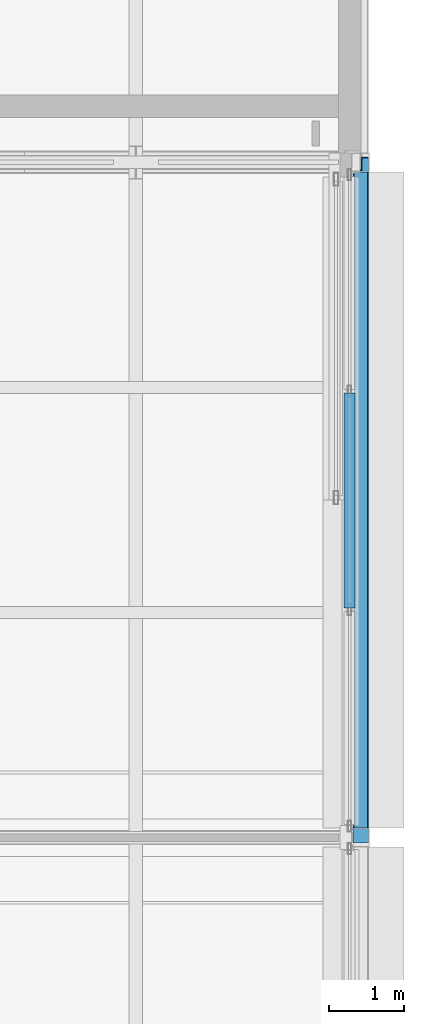
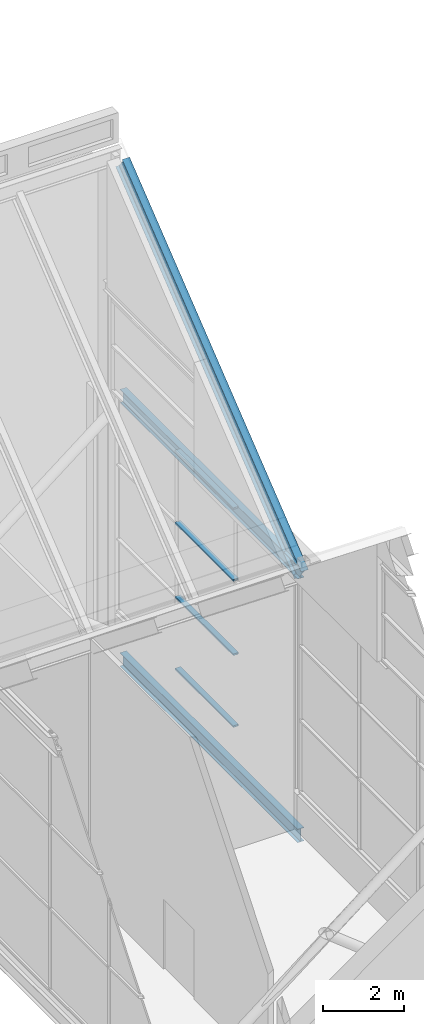
# One storey, part 87 of 144: 5 members, 2 beams, 1 element without a shape of its own.
"""IFC4 building model written with IfcOpenShell, lengths in metres."""

from ifc_helpers import new_model, si_unit, direction, frame, origin, origin_2d, place, context, subcontext, project, spatial, hollow_rectangle, i_section, extrude, material, layer, layer_set, material_profile, profile_set, type_object, element, aggregate, save


model = new_model("IFC4")

# Units and contexts
model_context = context("Model", 3, precision=1e-05, world=origin(), true_north=direction((0.0, 1.0)))
body_context = subcontext(model_context, "Body", "Model", "MODEL_VIEW")
ifc_project = project(units=[si_unit("LENGTHUNIT", "METRE"), si_unit("AREAUNIT", "SQUARE_METRE"), si_unit("VOLUMEUNIT", "CUBIC_METRE"), si_unit("PLANEANGLEUNIT", "RADIAN"), si_unit("MASSUNIT", "GRAM", prefix="KILO")], contexts=[model_context])

# Site, building, storey
site_placement = place(None, origin())
site = spatial("IfcSite", under=ifc_project, at=site_placement, CompositionType="ELEMENT")
building_placement = place(site_placement, origin())
building = spatial("IfcBuilding", under=site, at=building_placement, Name="Shorebreak Coast Museum", CompositionType="ELEMENT")
storey_placement = place(building_placement, frame((0.0, 0.0, 36.0)))
storey = spatial("IfcBuildingStorey", under=building, at=storey_placement, Name="L06", CompositionType="ELEMENT", Elevation=36.0)

# Beam
ifc_material_1 = material(Name="Steel Grade 300", Category="steel")
ifc_material_profile_1 = material_profile(ifc_material_1, i_section(OverallWidth=0.177978515625, OverallDepth=0.406494140625, WebThickness=0.0078125, FlangeThickness=0.0126953125, FilletRadius=0.011474609375, at=origin_2d()), Name="410UB59.7")
ifc_profile_set_1 = profile_set([ifc_material_profile_1], Name="Steel Grade 300")
beam_type_1 = type_object("IfcBeamType", Name="Floor girder north-south 410UB59.7", PredefinedType="BEAM", material=ifc_profile_set_1)
beam_1_placement = place(storey_placement, frame((117.0, 72.125, -0.378173828125), z_axis=(0.0, 1.0, 0.0), x_axis=(-1.0, 0.0, 0.0)))
element("IfcBeam", 1, at=beam_1_placement, inside=storey, type_object=beam_type_1, Name="Floor girder north-south L06 14J", PredefinedType="BEAM", context=body_context, shape_type="SweptSolid", body=[
    extrude(i_section(OverallWidth=0.177978515625, OverallDepth=0.406494140625, WebThickness=0.0078125, FlangeThickness=0.0126953125, FilletRadius=0.011474609375, at=origin_2d()), origin(), (0.0, 0.0, 1.0), 8.75),
])

# Member
ifc_material_2 = material(Name="Steel Grade 300", Category="steel")
ifc_material_profile_2 = material_profile(ifc_material_2, i_section(OverallWidth=0.208984375, OverallDepth=0.5283203125, WebThickness=0.009521484375, FlangeThickness=0.01318359375, FilletRadius=0.013916015625, at=origin_2d()), Name="530UB82.0")
ifc_profile_set_2 = profile_set([ifc_material_profile_2], Name="Steel Grade 300")
member_type_1 = type_object("IfcMemberType", Name="Fold rib rafter 530UB82.0", PredefinedType="RAFTER", material=ifc_profile_set_2)
member_1_placement = place(storey_placement, frame((117.0, 80.905029296875, 14.52978515625), z_axis=(0.0, -0.780866698312, -0.624697686459), x_axis=(1.0, 0.0, 0.0)))
element("IfcMember", 2, at=member_1_placement, inside=storey, type_object=member_type_1, Name="Fold rib rafter FOLD-X line 3 22", PredefinedType="RAFTER", context=body_context, shape_type="SweptSolid", body=[
    extrude(i_section(OverallWidth=0.208984375, OverallDepth=0.5283203125, WebThickness=0.009521484375, FlangeThickness=0.01318359375, FilletRadius=0.013916015625, at=origin_2d()), origin(), (0.0, 0.0, 1.0), 11.282470703125),
])

# Beam
ifc_material_3 = material(Name="Steel Grade 300", Category="steel")
ifc_material_profile_3 = material_profile(ifc_material_3, i_section(OverallWidth=0.177978515625, OverallDepth=0.402587890625, WebThickness=0.007568359375, FlangeThickness=0.010986328125, FilletRadius=0.011474609375, at=origin_2d()), Name="410UB53.7")
ifc_profile_set_3 = profile_set([ifc_material_profile_3], Name="Steel Grade 300")
beam_type_2 = type_object("IfcBeamType", Name="Fold rib tie 410UB53.7", PredefinedType="BEAM", material=ifc_profile_set_3)
beam_2_placement = place(storey_placement, frame((117.0, 72.125, 7.54248046875), z_axis=(0.0, 1.0, 0.0), x_axis=(-1.0, 0.0, 0.0)))
element("IfcBeam", 3, at=beam_2_placement, inside=storey, type_object=beam_type_2, Name="Fold rib tie FOLD-X rib 14 J-K", PredefinedType="BEAM", context=body_context, shape_type="SweptSolid", body=[
    extrude(i_section(OverallWidth=0.177978515625, OverallDepth=0.402587890625, WebThickness=0.007568359375, FlangeThickness=0.010986328125, FilletRadius=0.011474609375, at=origin_2d()), origin(), (0.0, 0.0, 1.0), 8.75),
])

# Curtain wall, members
ifc_material_4 = material(Name="Aluminium", Category="aluminium")
ifc_layer = layer(ifc_material_4, 0.14990234375)
ifc_layer_set = layer_set([ifc_layer], Name="Aluminium")
curtain_wall_type = type_object("IfcCurtainWallType", Name="Storefront curtain wall", PredefinedType="NOTDEFINED", material=ifc_layer_set)
curtain_wall_placement = place(storey_placement, origin())
curtain_wall = element("IfcCurtainWall", 4, at=curtain_wall_placement, inside=storey, type_object=curtain_wall_type, Name="Atrium Hall glazing L06 E 21", PredefinedType="NOTDEFINED")
ifc_material_5 = material(Name="Aluminium", Category="aluminium")
ifc_material_profile_4 = material_profile(ifc_material_5, hollow_rectangle(XDim=0.14990234375, YDim=0.050048828125, WallThickness=0.00390625, at=origin_2d()), Name="AL 50x150 RHS")
ifc_profile_set_4 = profile_set([ifc_material_profile_4], Name="Aluminium")
member_type_2 = type_object("IfcMemberType", Name="Storefront transom 150 x 50", PredefinedType="USERDEFINED", material=ifc_profile_set_4)
member_2_placement = place(storey_placement, frame((116.85009765625, 75.06201171875, 1.175048828125), z_axis=(0.0, 1.0, 0.0), x_axis=(-1.0, 0.0, 0.0)))
member_2 = element("IfcMember", 5, at=member_2_placement, type_object=member_type_2, Name="CW5 transom 2.1", ObjectType="TRANSOM", PredefinedType="USERDEFINED", context=body_context, shape_type="SweptSolid", body=[
    extrude(hollow_rectangle(XDim=0.14990234375, YDim=0.050048828125, WallThickness=0.00390625, at=origin_2d()), origin(), (0.0, 0.0, 1.0), 2.862060546875),
])
member_3_placement = place(storey_placement, frame((116.85009765625, 75.06201171875, 3.333251953125), z_axis=(0.0, 1.0, 0.0), x_axis=(-1.0, 0.0, 0.0)))
member_3 = element("IfcMember", 6, at=member_3_placement, type_object=member_type_2, Name="CW5 transom 2.2", ObjectType="TRANSOM", PredefinedType="USERDEFINED", context=body_context, shape_type="SweptSolid", body=[
    extrude(hollow_rectangle(XDim=0.14990234375, YDim=0.050048828125, WallThickness=0.00390625, at=origin_2d()), origin(), (0.0, 0.0, 1.0), 2.862060546875),
])
member_4_placement = place(storey_placement, frame((116.85009765625, 75.06201171875, 5.566650390625), z_axis=(0.0, 1.0, 0.0), x_axis=(-1.0, 0.0, 0.0)))
member_4 = element("IfcMember", 7, at=member_4_placement, type_object=member_type_2, Name="CW5 transom 2.3", ObjectType="TRANSOM", PredefinedType="USERDEFINED", context=body_context, shape_type="SweptSolid", body=[
    extrude(hollow_rectangle(XDim=0.14990234375, YDim=0.050048828125, WallThickness=0.00390625, at=origin_2d()), origin(), (0.0, 0.0, 1.0), 2.862060546875),
])
member_5_placement = place(storey_placement, frame((116.85009765625, 75.06201171875, 7.72509765625), z_axis=(0.0, 1.0, 0.0), x_axis=(-1.0, 0.0, 0.0)))
member_5 = element("IfcMember", 8, at=member_5_placement, type_object=member_type_2, Name="CW5 transom 2.4", ObjectType="TRANSOM", PredefinedType="USERDEFINED", context=body_context, shape_type="SweptSolid", body=[
    extrude(hollow_rectangle(XDim=0.14990234375, YDim=0.050048828125, WallThickness=0.00390625, at=origin_2d()), origin(), (0.0, 0.0, 1.0), 2.862060546875),
])
aggregate(curtain_wall, [member_2, member_3, member_4, member_5])

save(model, "model.ifc")
